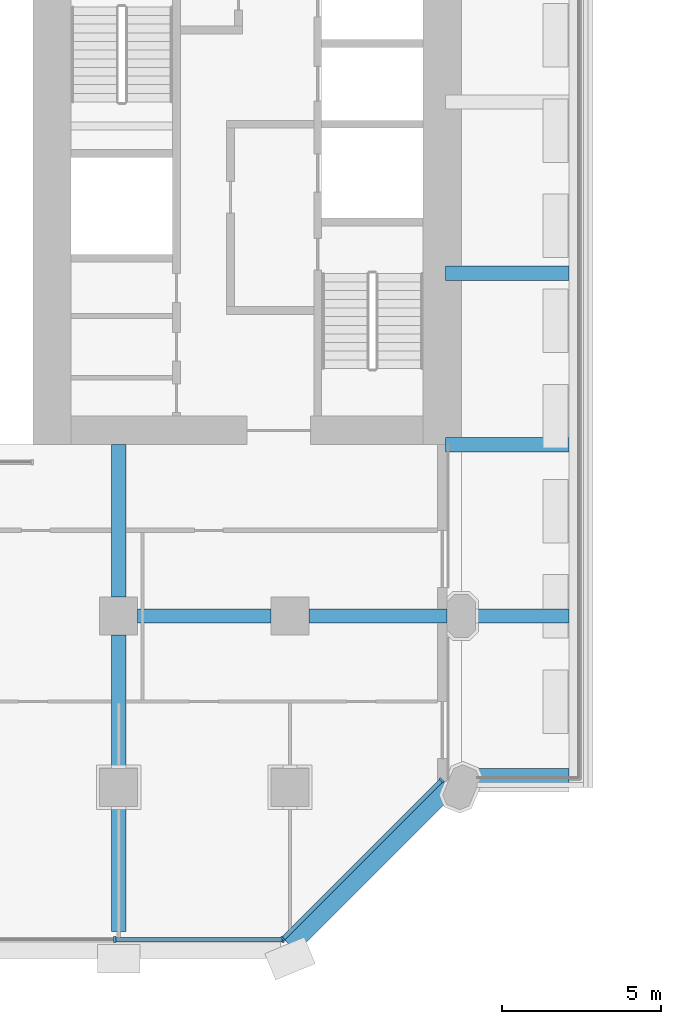
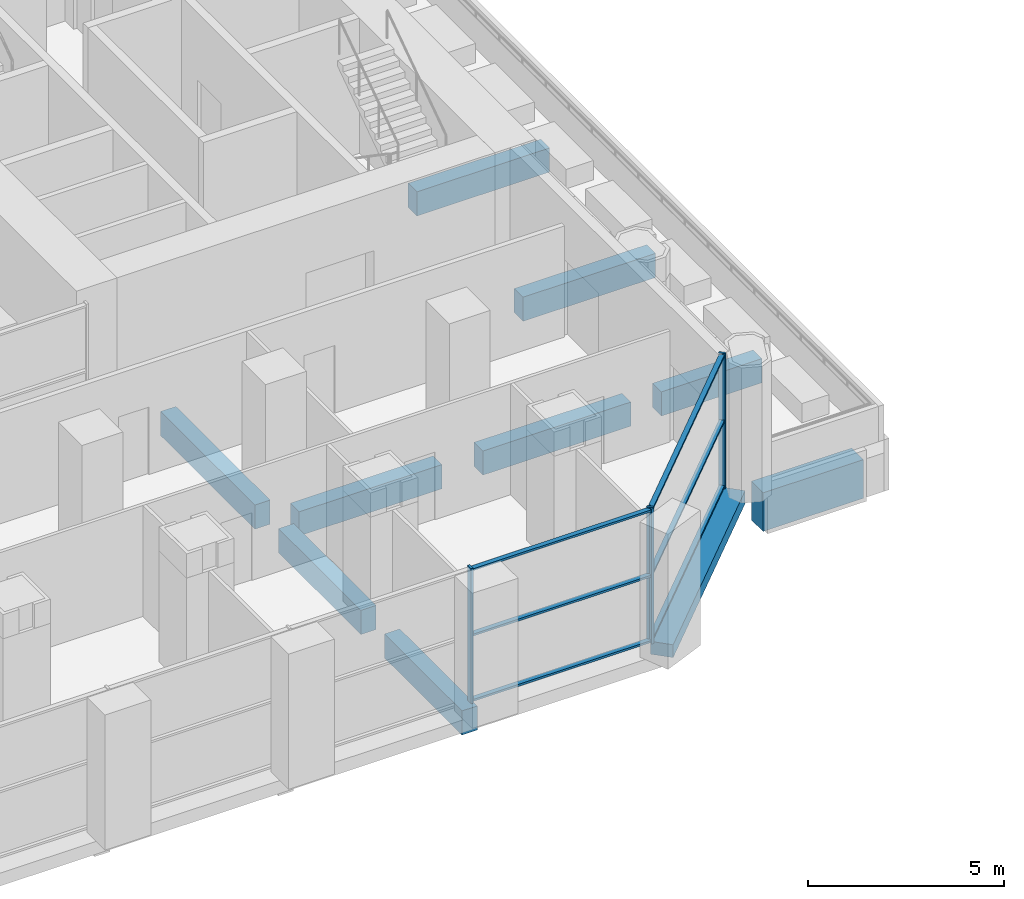
# One storey, part 6 of 23: 10 beams, 10 members, 2 elements without a shape of their own.
"""IFC4 building model written with IfcOpenShell, lengths in metres."""

from ifc_helpers import new_model, si_unit, direction, frame, origin, origin_2d, place, context, subcontext, project, spatial, rectangle, extrude, material, material_profile, profile_set, type_object, element, aggregate, save


model = new_model("IFC4")

# Units and contexts
model_context = context("Model", 3, precision=1e-05, world=origin(), true_north=direction((0.0, 1.0)))
body_context = subcontext(model_context, "Body", "Model", "MODEL_VIEW")
ifc_project = project(units=[si_unit("LENGTHUNIT", "METRE"), si_unit("AREAUNIT", "SQUARE_METRE"), si_unit("VOLUMEUNIT", "CUBIC_METRE"), si_unit("PLANEANGLEUNIT", "RADIAN"), si_unit("MASSUNIT", "GRAM", prefix="KILO")], contexts=[model_context])

# Site, building, storey
site_placement = place(None, origin())
site = spatial("IfcSite", under=ifc_project, at=site_placement, CompositionType="ELEMENT")
building_placement = place(site_placement, origin())
building = spatial("IfcBuilding", under=site, at=building_placement, Name="Tabaq Tower and Sports Hall", CompositionType="ELEMENT")
storey_placement = place(building_placement, frame((0.0, 0.0, 29.10009765625)))
storey = spatial("IfcBuildingStorey", under=building, at=storey_placement, Name="L05", CompositionType="ELEMENT", Elevation=29.10009765625)

# Curtain wall, members
ifc_material_1 = material(Name="Aluminium alloy 6063-T6 framed glazing", Category="aluminium")
curtain_wall_type = type_object("IfcCurtainWallType", Name="CW7 curtain wall", PredefinedType="USERDEFINED", material=ifc_material_1)
curtain_wall_1_placement = place(storey_placement, origin())
curtain_wall_1 = element("IfcCurtainWall", 1, at=curtain_wall_1_placement, inside=storey, type_object=curtain_wall_type, Name="Podium Wall L05 S", ObjectType="PODIUM WALL", PredefinedType="USERDEFINED")
ifc_material_2 = material(Name="Aluminium alloy 6063-T6", Category="aluminium")
ifc_material_profile_1 = material_profile(ifc_material_2, rectangle(XDim=0.179931640625, YDim=0.06494140625, at=origin_2d()), Name="MULLION 180x65")
ifc_profile_set_1 = profile_set([ifc_material_profile_1], Name="Aluminium alloy 6063-T6")
member_type_1 = type_object("IfcMemberType", Name="CW7 mullion 180x65", PredefinedType="MULLION", material=ifc_profile_set_1)
member_1_placement = place(storey_placement, frame((32.275634765625, 0.60009765625, 0.0), z_axis=(0.0, 0.0, 1.0), x_axis=(0.0, 1.0, 0.0)))
member_1 = element("IfcMember", 2, at=member_1_placement, type_object=member_type_1, Name="CW7 mullion 6", PredefinedType="MULLION", context=body_context, shape_type="SweptSolid", body=[
    extrude(rectangle(XDim=0.179931640625, YDim=0.06494140625, at=origin_2d()), origin(), (0.0, 0.0, 1.0), 4.199951171875),
])
member_2_placement = place(storey_placement, frame((37.5810546875, 0.60009765625, 0.0), z_axis=(0.0, 0.0, 1.0), x_axis=(0.0, 1.0, 0.0)))
member_2 = element("IfcMember", 3, at=member_2_placement, type_object=member_type_1, Name="CW7 mullion 7", PredefinedType="MULLION", context=body_context, shape_type="SweptSolid", body=[
    extrude(rectangle(XDim=0.179931640625, YDim=0.06494140625, at=origin_2d()), origin(), (0.0, 0.0, 1.0), 4.199951171875),
])

curtain_wall_2_placement = place(storey_placement, origin())
curtain_wall_2 = element("IfcCurtainWall", 4, at=curtain_wall_2_placement, inside=storey, type_object=curtain_wall_type, Name="Podium Wall L05 SE", ObjectType="PODIUM WALL", PredefinedType="USERDEFINED")
member_3_placement = place(storey_placement, frame((37.574462890625, 0.623046875, 0.0), z_axis=(0.0, 0.0, 1.0), x_axis=(-0.707106781187, 0.707106781187, 0.0)))
member_3 = element("IfcMember", 5, at=member_3_placement, type_object=member_type_1, Name="CW7 mullion 1", PredefinedType="MULLION", context=body_context, shape_type="SweptSolid", body=[
    extrude(rectangle(XDim=0.179931640625, YDim=0.06494140625, at=origin_2d()), origin(), (0.0, 0.0, 1.0), 4.199951171875),
])
member_4_placement = place(storey_placement, frame((42.576904296875, 5.62548828125, 0.0), z_axis=(0.0, 0.0, 1.0), x_axis=(-0.707106781187, 0.707106781187, 0.0)))
member_4 = element("IfcMember", 6, at=member_4_placement, type_object=member_type_1, Name="CW7 mullion 2", PredefinedType="MULLION", context=body_context, shape_type="SweptSolid", body=[
    extrude(rectangle(XDim=0.179931640625, YDim=0.06494140625, at=origin_2d()), origin(), (0.0, 0.0, 1.0), 4.199951171875),
])

# Member
ifc_material_3 = material(Name="Aluminium alloy 6063-T6", Category="aluminium")
ifc_material_profile_2 = material_profile(ifc_material_3, rectangle(XDim=0.139892578125, YDim=0.06494140625, at=origin_2d()), Name="TRANSOM 140x65")
ifc_profile_set_2 = profile_set([ifc_material_profile_2], Name="Aluminium alloy 6063-T6")
member_type_2 = type_object("IfcMemberType", Name="CW7 transom 140x65", PredefinedType="USERDEFINED", material=ifc_profile_set_2)
member_5_placement = place(storey_placement, frame((32.308349609375, 0.60009765625, 0.06982421875), z_axis=(1.0, 0.0, 0.0), x_axis=(0.0, 1.0, 0.0)))
member_5 = element("IfcMember", 7, at=member_5_placement, type_object=member_type_2, Name="CW7 transom 6.1", ObjectType="TRANSOM", PredefinedType="USERDEFINED", context=body_context, shape_type="SweptSolid", body=[
    extrude(rectangle(XDim=0.139892578125, YDim=0.06494140625, at=origin_2d()), origin(), (0.0, 0.0, 1.0), 5.240234375),
])

member_6_placement = place(storey_placement, frame((32.308349609375, 0.60009765625, 2.099853515625), z_axis=(1.0, 0.0, 0.0), x_axis=(0.0, 1.0, 0.0)))
member_6 = element("IfcMember", 8, at=member_6_placement, type_object=member_type_2, Name="CW7 transom 6.2", ObjectType="TRANSOM", PredefinedType="USERDEFINED", context=body_context, shape_type="SweptSolid", body=[
    extrude(rectangle(XDim=0.139892578125, YDim=0.06494140625, at=origin_2d()), origin(), (0.0, 0.0, 1.0), 5.240234375),
])

member_7_placement = place(storey_placement, frame((32.308349609375, 0.60009765625, 4.1298828125), z_axis=(1.0, 0.0, 0.0), x_axis=(0.0, 1.0, 0.0)))
member_7 = element("IfcMember", 9, at=member_7_placement, type_object=member_type_2, Name="CW7 transom 6.3", ObjectType="TRANSOM", PredefinedType="USERDEFINED", context=body_context, shape_type="SweptSolid", body=[
    extrude(rectangle(XDim=0.139892578125, YDim=0.06494140625, at=origin_2d()), origin(), (0.0, 0.0, 1.0), 5.240234375),
])

aggregate(curtain_wall_1, [member_1, member_2, member_5, member_6, member_7])

member_8_placement = place(storey_placement, frame((37.597412109375, 0.64599609375, 0.06982421875), z_axis=(0.707106781187, 0.707106781187, 0.0), x_axis=(-0.707106781187, 0.707106781187, 0.0)))
member_8 = element("IfcMember", 10, at=member_8_placement, type_object=member_type_2, Name="CW7 transom 1.1", ObjectType="TRANSOM", PredefinedType="USERDEFINED", context=body_context, shape_type="SweptSolid", body=[
    extrude(rectangle(XDim=0.139892578125, YDim=0.06494140625, at=origin_2d()), origin(), (0.0, 0.0, 1.0), 7.009521484375),
])

member_9_placement = place(storey_placement, frame((37.597412109375, 0.64599609375, 2.099853515625), z_axis=(0.707106781187, 0.707106781187, 0.0), x_axis=(-0.707106781187, 0.707106781187, 0.0)))
member_9 = element("IfcMember", 11, at=member_9_placement, type_object=member_type_2, Name="CW7 transom 1.2", ObjectType="TRANSOM", PredefinedType="USERDEFINED", context=body_context, shape_type="SweptSolid", body=[
    extrude(rectangle(XDim=0.139892578125, YDim=0.06494140625, at=origin_2d()), origin(), (0.0, 0.0, 1.0), 7.009521484375),
])

member_10_placement = place(storey_placement, frame((37.597412109375, 0.64599609375, 4.1298828125), z_axis=(0.707106781187, 0.707106781187, 0.0), x_axis=(-0.707106781187, 0.707106781187, 0.0)))
member_10 = element("IfcMember", 12, at=member_10_placement, type_object=member_type_2, Name="CW7 transom 1.3", ObjectType="TRANSOM", PredefinedType="USERDEFINED", context=body_context, shape_type="SweptSolid", body=[
    extrude(rectangle(XDim=0.139892578125, YDim=0.06494140625, at=origin_2d()), origin(), (0.0, 0.0, 1.0), 7.009521484375),
])

aggregate(curtain_wall_2, [member_3, member_4, member_8, member_9, member_10])

# Beams
ifc_material_4 = material(Name="Concrete C40/50", Category="concrete")
ifc_material_profile_3 = material_profile(ifc_material_4, rectangle(XDim=0.60009765625, YDim=1.199951171875, at=origin_2d()), Name="EBT 600x1200")
ifc_profile_set_3 = profile_set([ifc_material_profile_3], Name="Concrete C40/50")
beam_type_1 = type_object("IfcBeamType", Name="Concrete C40/50 PT edge band EBT 600x1200", PredefinedType="BEAM", material=ifc_profile_set_3)
beam_1_placement = place(storey_placement, frame((43.64990234375, 5.699951171875, -1.0), z_axis=(1.0, 0.0, 0.0), x_axis=(0.0, 1.0, 0.0)))
element("IfcBeam", 13, at=beam_1_placement, inside=storey, type_object=beam_type_1, Name="Tray edge band L05", PredefinedType="BEAM", context=body_context, shape_type="SweptSolid", body=[
    extrude(rectangle(XDim=0.60009765625, YDim=1.199951171875, at=origin_2d()), origin(), (0.0, 0.0, 1.0), 2.9501953125),
])
ifc_material_5 = material(Name="Concrete C40/50", Category="concrete")
ifc_material_profile_4 = material_profile(ifc_material_5, rectangle(XDim=0.449951171875, YDim=0.75, at=origin_2d()), Name="CB 450x750")
ifc_profile_set_4 = profile_set([ifc_material_profile_4], Name="Concrete C40/50")
beam_type_2 = type_object("IfcBeamType", Name="PT CANTILEVER BEAM CB 450x750 C40/50", PredefinedType="BEAM", material=ifc_profile_set_4)
beam_2_placement = place(storey_placement, frame((32.39990234375, 0.85009765625, -0.775146484375), z_axis=(0.0, 1.0, 0.0), x_axis=(-1.0, 0.0, 0.0)))
element("IfcBeam", 14, at=beam_2_placement, inside=storey, type_object=beam_type_2, Name="Cantilever Beam L05 S6 span 1", PredefinedType="BEAM", context=body_context, shape_type="SweptSolid", body=[
    extrude(rectangle(XDim=0.449951171875, YDim=0.75, at=origin_2d()), origin(), (0.0, 0.0, 1.0), 3.949951171875),
])
beam_3_placement = place(storey_placement, frame((32.39990234375, 6.0, -0.775146484375), z_axis=(0.0, 1.0, 0.0), x_axis=(-1.0, 0.0, 0.0)))
element("IfcBeam", 15, at=beam_3_placement, inside=storey, type_object=beam_type_2, Name="Cantilever Beam L05 S6 span 2", PredefinedType="BEAM", context=body_context, shape_type="SweptSolid", body=[
    extrude(rectangle(XDim=0.449951171875, YDim=0.75, at=origin_2d()), origin(), (0.0, 0.0, 1.0), 4.199951171875),
])
beam_4_placement = place(storey_placement, frame((32.39990234375, 11.39990234375, -0.775146484375), z_axis=(0.0, 1.0, 0.0), x_axis=(-1.0, 0.0, 0.0)))
element("IfcBeam", 16, at=beam_4_placement, inside=storey, type_object=beam_type_2, Name="Cantilever Beam L05 S6 span 3", PredefinedType="BEAM", context=body_context, shape_type="SweptSolid", body=[
    extrude(rectangle(XDim=0.449951171875, YDim=0.75, at=origin_2d()), origin(), (0.0, 0.0, 1.0), 4.800048828125),
])
beam_5_placement = place(storey_placement, frame((46.60009765625, 10.800048828125, -0.775146484375), z_axis=(-1.0, 0.0, 0.0), x_axis=(0.0, -1.0, 0.0)))
element("IfcBeam", 17, at=beam_5_placement, inside=storey, type_object=beam_type_2, Name="Tray Cantilever Beam L05 T1 span 1", PredefinedType="BEAM", context=body_context, shape_type="SweptSolid", body=[
    extrude(rectangle(XDim=0.449951171875, YDim=0.75, at=origin_2d()), origin(), (0.0, 0.0, 1.0), 2.9501953125),
])
beam_6_placement = place(storey_placement, frame((42.75, 10.800048828125, -0.775146484375), z_axis=(-1.0, 0.0, 0.0), x_axis=(0.0, -1.0, 0.0)))
element("IfcBeam", 18, at=beam_6_placement, inside=storey, type_object=beam_type_2, Name="Tray Cantilever Beam L05 T1 span 2", PredefinedType="BEAM", context=body_context, shape_type="SweptSolid", body=[
    extrude(rectangle(XDim=0.449951171875, YDim=0.75, at=origin_2d()), origin(), (0.0, 0.0, 1.0), 4.35009765625),
])
beam_7_placement = place(storey_placement, frame((37.199951171875, 10.800048828125, -0.775146484375), z_axis=(-1.0, 0.0, 0.0), x_axis=(0.0, -1.0, 0.0)))
element("IfcBeam", 19, at=beam_7_placement, inside=storey, type_object=beam_type_2, Name="Tray Cantilever Beam L05 T1 span 3", PredefinedType="BEAM", context=body_context, shape_type="SweptSolid", body=[
    extrude(rectangle(XDim=0.449951171875, YDim=0.75, at=origin_2d()), origin(), (0.0, 0.0, 1.0), 4.199951171875),
])
for number, where, z_axis, x_axis, name in (
    (20, (46.60009765625, 16.199951171875, -0.775146484375), (-1.0, 0.0, 0.0), (0.0, -1.0, 0.0), "Tray Cantilever Beam L05 T2 span 1"),
    (21, (46.60009765625, 21.60009765625, -0.775146484375), (-1.0, 0.0, 0.0), (0.0, -1.0, 0.0), "Tray Cantilever Beam L05 T3 span 1"),
):
    element("IfcBeam", number, at=place(storey_placement, frame(where, z_axis=z_axis, x_axis=x_axis)), inside=storey, type_object=beam_type_2, Name=name, PredefinedType="BEAM", context=body_context, shape_type="SweptSolid", body=[
        extrude(rectangle(XDim=0.449951171875, YDim=0.75, at=origin_2d()), origin(), (0.0, 0.0, 1.0), 3.900146484375),
    ])
ifc_material_6 = material(Name="Concrete C40/50", Category="concrete")
ifc_material_profile_5 = material_profile(ifc_material_6, rectangle(XDim=0.60009765625, YDim=0.39990234375, at=origin_2d()), Name="EB 600x400")
ifc_profile_set_5 = profile_set([ifc_material_profile_5], Name="Concrete C40/50")
beam_type_3 = type_object("IfcBeamType", Name="PT EDGE BEAM EB 600x400 C40/50", PredefinedType="SPANDREL", material=ifc_profile_set_5)
beam_8_placement = place(storey_placement, frame((37.799072265625, 0.42333984375, -0.2001953125), z_axis=(0.707106781187, 0.707106781187, 0.0), x_axis=(-0.707106781187, 0.707106781187, 0.0)))
element("IfcBeam", 22, at=beam_8_placement, inside=storey, type_object=beam_type_3, Name="Edge Beam L05 2", PredefinedType="SPANDREL", context=body_context, shape_type="SweptSolid", body=[
    extrude(rectangle(XDim=0.60009765625, YDim=0.39990234375, at=origin_2d()), origin(), (0.0, 0.0, 1.0), 7.087890625),
])

save(model, "model.ifc")
